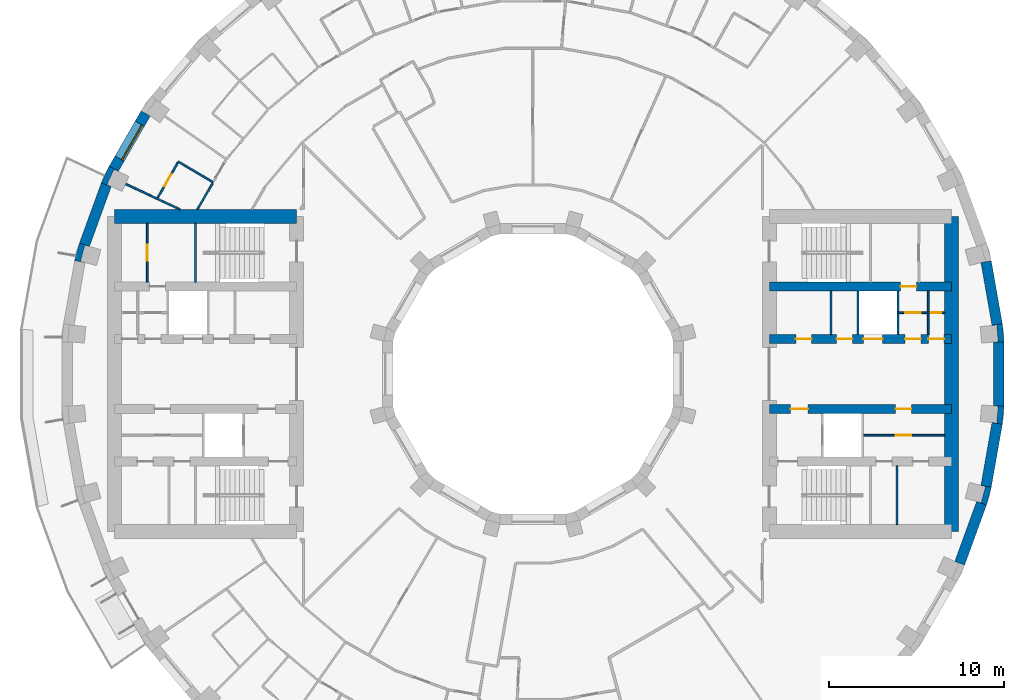
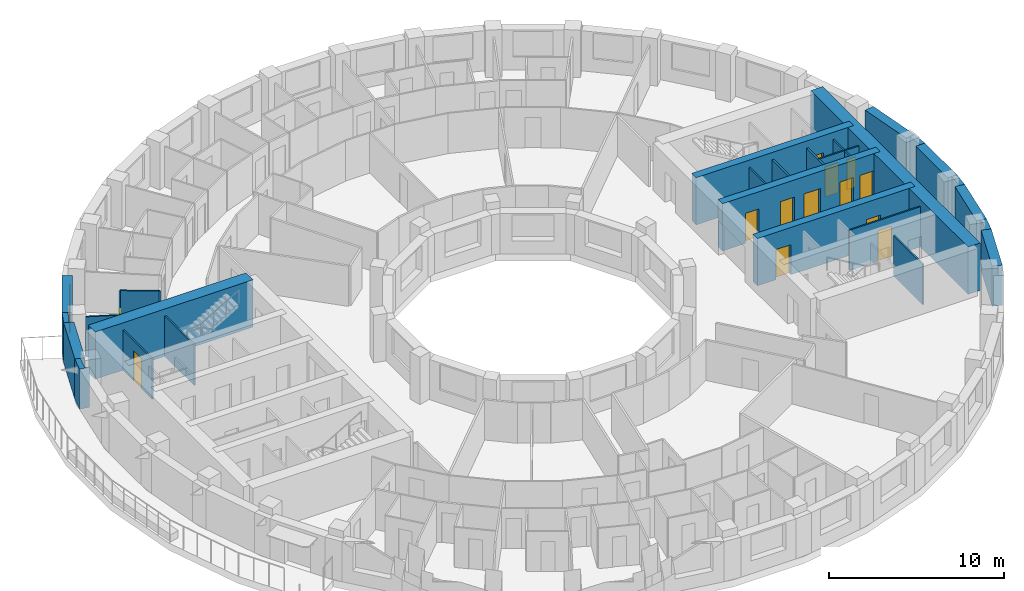
# One storey, part 7 of 12: 30 walls, 13 doors, 1 window, 14 openings.
"""IFC4 building model written with IfcOpenShell, lengths in metres."""

from ifc_helpers import new_model, si_unit, direction, frame, frame_2d, origin, place, context, subcontext, project, spatial, polyline, rectangle, outline, extrude, material, layer, layer_set, type_object, element, fill, save


model = new_model("IFC4")

# Units and contexts
model_context = context("Model", 3, precision=1e-05, world=origin(), true_north=direction((0.0, 1.0)))
body_context = subcontext(model_context, "Body", "Model", "MODEL_VIEW")
ifc_project = project(units=[si_unit("LENGTHUNIT", "METRE"), si_unit("AREAUNIT", "SQUARE_METRE"), si_unit("VOLUMEUNIT", "CUBIC_METRE"), si_unit("PLANEANGLEUNIT", "RADIAN"), si_unit("MASSUNIT", "GRAM", prefix="KILO")], contexts=[model_context])

# Site, building, storey
site_placement = place(None, origin())
site = spatial("IfcSite", under=ifc_project, at=site_placement, CompositionType="ELEMENT")
building_placement = place(site_placement, origin())
building = spatial("IfcBuilding", under=site, at=building_placement, Name="Saqina Gate Tower", CompositionType="ELEMENT")
storey_placement = place(building_placement, frame((0.0, 0.0, 111.699951171875)))
storey = spatial("IfcBuildingStorey", under=building, at=storey_placement, Name="L31", CompositionType="ELEMENT", Elevation=111.699951171875)

# Walls
ifc_material_1 = material(Name="Brick masonry (buff)", Category="masonry")
wall_type_1 = type_object("IfcWallType", Name="BRICK PIER COPING BUFF", PredefinedType="SOLIDWALL", material=ifc_material_1)
wall_1_placement = place(storey_placement, origin())
element("IfcWall", 1, at=wall_1_placement, inside=storey, type_object=wall_type_1, Name="Pier cap L31 column 1", PredefinedType="SOLIDWALL", context=body_context, shape_type="SweptSolid", body=[
    extrude(outline(polyline([(26.805419921875, 2.87451171875), (26.214599609375, 2.770263671875), (26.482421875, 2.793701171875), (26.565185546875, 1.847412109375), (26.29736328125, 1.823974609375), (26.897216796875, 1.823974609375), (26.805419921875, 2.87451171875)])), origin(), (0.0, 0.0, 1.0), 2.800048828125),
])
wall_2_placement = place(storey_placement, origin())
element("IfcWall", 2, at=wall_2_placement, inside=storey, type_object=wall_type_1, Name="Pier cap L31 column 16", PredefinedType="SOLIDWALL", context=body_context, shape_type="SweptSolid", body=[
    extrude(outline(polyline([(-24.6513671875, 10.913330078125), (-24.08740234375, 10.7080078125), (-24.331298828125, 10.82177734375), (-23.9296875, 11.6826171875), (-23.68603515625, 11.569091796875), (-24.205810546875, 11.869140625), (-24.6513671875, 10.913330078125)])), origin(), (0.0, 0.0, 1.0), 2.800048828125),
])
wall_3_placement = place(storey_placement, origin())
element("IfcWall", 3, at=wall_3_placement, inside=storey, type_object=wall_type_1, Name="Pier cap L31 column 17", PredefinedType="SOLIDWALL", context=body_context, shape_type="SweptSolid", body=[
    extrude(outline(polyline([(-25.89892578125, 7.485595703125), (-26.171875, 6.466796875), (-25.5810546875, 6.36279296875), (-25.8408203125, 6.43212890625), (-25.5947265625, 7.349853515625), (-25.335205078125, 7.2802734375), (-25.89892578125, 7.485595703125)])), origin(), (0.0, 0.0, 1.0), 2.800048828125),
])
wall_4_placement = place(storey_placement, origin())
element("IfcWall", 4, at=wall_4_placement, inside=storey, type_object=wall_type_1, Name="Pier cap L31 column 35", PredefinedType="SOLIDWALL", context=body_context, shape_type="SweptSolid", body=[
    extrude(outline(polyline([(25.89892578125, -7.485595703125), (26.171875, -6.466796875), (25.5810546875, -6.36279296875), (25.8408203125, -6.43212890625), (25.5947265625, -7.349853515625), (25.335205078125, -7.2802734375), (25.89892578125, -7.485595703125)])), origin(), (0.0, 0.0, 1.0), 2.800048828125),
])
wall_5_placement = place(storey_placement, origin())
element("IfcWall", 5, at=wall_5_placement, inside=storey, type_object=wall_type_1, Name="Pier cap L31 column 36", PredefinedType="SOLIDWALL", context=body_context, shape_type="SweptSolid", body=[
    extrude(outline(polyline([(26.805419921875, -2.87451171875), (26.897216796875, -1.823974609375), (26.29736328125, -1.823974609375), (26.565185546875, -1.847412109375), (26.482421875, -2.793701171875), (26.214599609375, -2.770263671875), (26.805419921875, -2.87451171875)])), origin(), (0.0, 0.0, 1.0), 2.800048828125),
])
ifc_material_2 = material(Name="Gypsum board on steel studs", Category="steel")
ifc_layer_1 = layer(ifc_material_2, 0.10009765625)
ifc_layer_set_1 = layer_set([ifc_layer_1], Name="CORE PARTITION")
wall_type_2 = type_object("IfcWallType", Name="CORE PARTITION", PredefinedType="PARTITIONING", material=ifc_layer_set_1)
for number, where, z_axis, x_axis, name in (
    (6, (17.022216796875, 2.25, 0.0), (0.0, 0.0, 1.0), (0.0, 1.0, 0.0), "L31-CP-E01"),
    (7, (22.569091796875, 2.25, 0.0), (0.0, 0.0, 1.0), (0.0, 1.0, 0.0), "L31-CP-E04"),
):
    element("IfcWall", number, at=place(storey_placement, frame(where, z_axis=z_axis, x_axis=x_axis)), inside=storey, type_object=wall_type_2, Name=name, PredefinedType="PARTITIONING", context=body_context, shape_type="SweptSolid", body=[
        extrude(rectangle(XDim=2.5, YDim=0.10009765625, at=frame_2d((1.25, 0.0))), origin(), (0.0, 0.0, 1.0), 2.800048828125),
    ])

# Wall, opening, door
wall_6_placement = place(storey_placement, frame((20.840087890625, 3.5, 0.0), z_axis=(0.0, 0.0, 1.0), x_axis=(1.0, 0.0, 0.0)))
wall_6 = element("IfcWall", 8, at=wall_6_placement, inside=storey, type_object=wall_type_2, Name="L31-CP-E07", PredefinedType="PARTITIONING", context=body_context, shape_type="SweptSolid", body=[
    extrude(rectangle(XDim=1.72900390625, YDim=0.10009765625, at=frame_2d((0.864501953125, 0.0))), origin(), (0.0, 0.0, 1.0), 2.800048828125),
])
opening_1_placement = place(wall_6_placement, frame((0.41455078125, 0.0, 0.0)))
opening_1 = element("IfcOpeningElement", 9, at=opening_1_placement, cuts=wall_6, Name="Opening G09-D97", PredefinedType="OPENING", context=body_context, shape_type="SweptSolid", body=[
    extrude(rectangle(XDim=0.89990234375, YDim=2.10009765625, at=frame_2d((0.449951171875, 1.050048828125))), frame((0.0, 0.06201171875, 0.0), z_axis=(0.0, -1.0, 0.0), x_axis=(1.0, 0.0, 0.0)), (0.0, 0.0, 1.0), 0.1240234375),
])
ifc_material_3 = material(Name="Steel-framed fire door leaf, EI 60", Category="steel")
door_type_1 = type_object("IfcDoorType", Name="SERVICE ROOM DOOR 900", OperationType="SINGLE_SWING_LEFT", PredefinedType="DOOR", material=ifc_material_3)
door_1_placement = place(opening_1_placement, origin())
door_1 = element("IfcDoor", 10, at=door_1_placement, inside=storey, type_object=door_type_1, Name="L31-CD-E08", OperationType="SINGLE_SWING_LEFT", OverallHeight=2.10009765625, OverallWidth=0.89990234375, PredefinedType="DOOR", context=body_context, shape_type="SweptSolid", body=[
    extrude(rectangle(XDim=0.89990234375, YDim=2.10009765625, at=frame_2d((0.449951171875, 1.050048828125))), frame((0.0, 0.02490234375, 0.0), z_axis=(0.0, -1.0, 0.0), x_axis=(1.0, 0.0, 0.0)), (0.0, 0.0, 1.0), 0.050048828125),
])
fill(opening_1, door_1)

wall_7_placement = place(storey_placement, frame((22.569091796875, 3.5, 0.0), z_axis=(0.0, 0.0, 1.0), x_axis=(1.0, 0.0, 0.0)))
wall_7 = element("IfcWall", 11, at=wall_7_placement, inside=storey, type_object=wall_type_2, Name="L31-CP-E08", PredefinedType="PARTITIONING", context=body_context, shape_type="SweptSolid", body=[
    extrude(rectangle(XDim=0.930908203125, YDim=0.10009765625, at=frame_2d((0.46533203125, 0.0))), origin(), (0.0, 0.0, 1.0), 2.800048828125),
])
opening_2_placement = place(wall_7_placement, frame((0.14990234375, 0.0, 0.0)))
opening_2 = element("IfcOpeningElement", 12, at=opening_2_placement, cuts=wall_7, Name="Opening G09-D96", PredefinedType="OPENING", context=body_context, shape_type="SweptSolid", body=[
    extrude(rectangle(XDim=0.60009765625, YDim=2.10009765625, at=frame_2d((0.300048828125, 1.050048828125))), frame((0.0, 0.06201171875, 0.0), z_axis=(0.0, -1.0, 0.0), x_axis=(1.0, 0.0, 0.0)), (0.0, 0.0, 1.0), 0.1240234375),
])
ifc_material_4 = material(Name="Steel-framed fire door leaf, EI 60", Category="steel")
door_type_2 = type_object("IfcDoorType", Name="SERVICE ROOM DOOR 600", OperationType="SINGLE_SWING_LEFT", PredefinedType="DOOR", material=ifc_material_4)
door_2_placement = place(opening_2_placement, origin())
door_2 = element("IfcDoor", 13, at=door_2_placement, inside=storey, type_object=door_type_2, Name="L31-CD-E07", OperationType="SINGLE_SWING_RIGHT", OverallHeight=2.10009765625, OverallWidth=0.60009765625, PredefinedType="DOOR", context=body_context, shape_type="SweptSolid", body=[
    extrude(rectangle(XDim=0.60009765625, YDim=2.10009765625, at=frame_2d((0.300048828125, 1.050048828125))), frame((0.0, 0.02490234375, 0.0), z_axis=(0.0, -1.0, 0.0), x_axis=(1.0, 0.0, 0.0)), (0.0, 0.0, 1.0), 0.050048828125),
])
fill(opening_2, door_2)

wall_8_placement = place(storey_placement, frame((18.81005859375, -3.5, 0.0), z_axis=(0.0, 0.0, 1.0), x_axis=(1.0, 0.0, 0.0)))
wall_8 = element("IfcWall", 14, at=wall_8_placement, inside=storey, type_object=wall_type_2, Name="L31-CP-E09", PredefinedType="PARTITIONING", context=body_context, shape_type="SweptSolid", body=[
    extrude(rectangle(XDim=4.68994140625, YDim=0.10009765625, at=frame_2d((2.344970703125, 0.0))), origin(), (0.0, 0.0, 1.0), 2.800048828125),
])
opening_3_placement = place(wall_8_placement, frame((1.89501953125, 0.0, 0.0)))
opening_3 = element("IfcOpeningElement", 15, at=opening_3_placement, cuts=wall_8, Name="Opening G09-D100", PredefinedType="OPENING", context=body_context, shape_type="SweptSolid", body=[
    extrude(rectangle(XDim=0.89990234375, YDim=2.10009765625, at=frame_2d((0.449951171875, 1.050048828125))), frame((0.0, 0.06201171875, 0.0), z_axis=(0.0, -1.0, 0.0), x_axis=(1.0, 0.0, 0.0)), (0.0, 0.0, 1.0), 0.1240234375),
])
door_3_placement = place(opening_3_placement, frame((0.89990234375, 0.0, 0.0), z_axis=(0.0, 0.0, 1.0), x_axis=(-1.0, 0.0, 0.0)))
door_3 = element("IfcDoor", 16, at=door_3_placement, inside=storey, type_object=door_type_1, Name="L31-CD-E11", OperationType="SINGLE_SWING_RIGHT", OverallHeight=2.10009765625, OverallWidth=0.89990234375, PredefinedType="DOOR", context=body_context, shape_type="SweptSolid", body=[
    extrude(rectangle(XDim=0.89990234375, YDim=2.10009765625, at=frame_2d((0.449951171875, 1.050048828125))), frame((0.0, 0.02490234375, 0.0), z_axis=(0.0, -1.0, 0.0), x_axis=(1.0, 0.0, 0.0)), (0.0, 0.0, 1.0), 0.050048828125),
])
fill(opening_3, door_3)

# Wall
wall_9_placement = place(storey_placement, frame((20.782958984375, -8.60009765625, 0.0), z_axis=(0.0, 0.0, 1.0), x_axis=(0.0, 1.0, 0.0)))
element("IfcWall", 17, at=wall_9_placement, inside=storey, type_object=wall_type_2, Name="L31-CP-E13", PredefinedType="PARTITIONING", context=body_context, shape_type="SweptSolid", body=[
    extrude(rectangle(XDim=3.35009765625, YDim=0.10009765625, at=frame_2d((1.675048828125, 0.0))), origin(), (0.0, 0.0, 1.0), 2.800048828125),
])

# Wall, opening, door
wall_10_placement = place(storey_placement, frame((-22.037109375, 5.25, 0.0), z_axis=(0.0, 0.0, 1.0), x_axis=(0.0, 1.0, 0.0)))
wall_10 = element("IfcWall", 18, at=wall_10_placement, inside=storey, type_object=wall_type_2, Name="L31-CP-W11", PredefinedType="PARTITIONING", context=body_context, shape_type="SweptSolid", body=[
    extrude(rectangle(XDim=3.35009765625, YDim=0.10009765625, at=frame_2d((1.675048828125, 0.0))), origin(), (0.0, 0.0, 1.0), 2.800048828125),
])
opening_4_placement = place(wall_10_placement, frame((1.22509765625, 0.0, 0.0)))
opening_4 = element("IfcOpeningElement", 19, at=opening_4_placement, cuts=wall_10, Name="Opening G09-D115", PredefinedType="OPENING", context=body_context, shape_type="SweptSolid", body=[
    extrude(rectangle(XDim=0.89990234375, YDim=2.10009765625, at=frame_2d((0.449951171875, 1.050048828125))), frame((0.0, 0.06201171875, 0.0), z_axis=(0.0, -1.0, 0.0), x_axis=(1.0, 0.0, 0.0)), (0.0, 0.0, 1.0), 0.1240234375),
])
door_4_placement = place(opening_4_placement, frame((0.89990234375, 0.0, 0.0), z_axis=(0.0, 0.0, 1.0), x_axis=(-1.0, 0.0, 0.0)))
door_4 = element("IfcDoor", 20, at=door_4_placement, inside=storey, type_object=door_type_1, Name="L31-CD-W26", OperationType="SINGLE_SWING_LEFT", OverallHeight=2.10009765625, OverallWidth=0.89990234375, PredefinedType="DOOR", context=body_context, shape_type="SweptSolid", body=[
    extrude(rectangle(XDim=0.89990234375, YDim=2.10009765625, at=frame_2d((0.449951171875, 1.050048828125))), frame((0.0, 0.02490234375, 0.0), z_axis=(0.0, -1.0, 0.0), x_axis=(1.0, 0.0, 0.0)), (0.0, 0.0, 1.0), 0.050048828125),
])
fill(opening_4, door_4)

# Wall, opening, window
ifc_material_5 = material(Name="Brick masonry (buff)", Category="masonry")
ifc_layer_2 = layer(ifc_material_5, 0.60009765625)
ifc_layer_set_2 = layer_set([ifc_layer_2], Name="FW-BRICK-BUFF")
wall_type_3 = type_object("IfcWallType", Name="FW-BRICK-BUFF", PredefinedType="SOLIDWALL", material=ifc_layer_set_2)
wall_11_placement = place(storey_placement, frame((-22.1220703125, 14.878173828125, 0.0), z_axis=(0.0, 0.0, 1.0), x_axis=(-0.499954196102, -0.866051847062, 0.0)))
wall_11 = element("IfcWall", 21, at=wall_11_placement, inside=storey, type_object=wall_type_3, Name="Facade wall L31 facet 15", PredefinedType="SOLIDWALL", context=body_context, shape_type="SweptSolid", body=[
    extrude(rectangle(XDim=3.647705078125, YDim=0.60009765625, at=frame_2d((1.82373046875, 0.0))), origin(), (0.0, 0.0, 1.0), 2.800048828125),
])
opening_5_placement = place(wall_11_placement, frame((0.673828125, 0.0, 0.89990234375)))
opening_5 = element("IfcOpeningElement", 22, at=opening_5_placement, cuts=wall_11, Name="Opening G09-W13", PredefinedType="OPENING", context=body_context, shape_type="SweptSolid", body=[
    extrude(rectangle(XDim=2.300048828125, YDim=1.800048828125, at=frame_2d((1.14990234375, 0.89990234375))), frame((0.0, 0.31201171875, 0.0), z_axis=(0.0, -1.0, 0.0), x_axis=(1.0, 0.0, 0.0)), (0.0, 0.0, 1.0), 0.6240234375),
])
ifc_material_6 = material(Name="Aluminium glazing", Category="aluminium")
window_type = type_object("IfcWindowType", Name="WN-B", PartitioningType="SINGLE_PANEL", PredefinedType="WINDOW", material=ifc_material_6)
window_placement = place(opening_5_placement, origin())
window = element("IfcWindow", 23, at=window_placement, inside=storey, type_object=window_type, Name="Window L31 facet 15", OverallHeight=1.800048828125, OverallWidth=2.300048828125, PartitioningType="SINGLE_PANEL", PredefinedType="WINDOW", context=body_context, shape_type="SweptSolid", body=[
    extrude(rectangle(XDim=2.300048828125, YDim=1.800048828125, at=frame_2d((1.14990234375, 0.89990234375))), frame((0.0, 0.179931640625, 0.0), z_axis=(0.0, -1.0, 0.0), x_axis=(1.0, 0.0, 0.0)), (0.0, 0.0, 1.0), 0.06005859375),
])
fill(opening_5, window)

# Walls
ifc_material_7 = material(Name="Glazed ceramic tile", Category="ceramic")
ifc_layer_3 = layer(ifc_material_7, 0.60009765625)
ifc_layer_set_3 = layer_set([ifc_layer_3], Name="FW-TILE")
wall_type_4 = type_object("IfcWallType", Name="FW-TILE", PredefinedType="SOLIDWALL", material=ifc_layer_set_3)
for number, where, z_axis, x_axis, name in (
    (24, (-24.369384765625, 10.810791015625, 0.0), (0.0, 0.0, 1.0), (-0.341990236633, -0.939703505393, 0.0), "Facade wall L31 facet 16"),
    (25, (24.369384765625, -10.810791015625, 0.0), (0.0, 0.0, 1.0), (0.341990236633, 0.939703505393, 0.0), "Facade wall L31 facet 34"),
    (26, (26.59716796875, -1.823974609375, 0.0), (0.0, 0.0, 1.0), (0.0, 1.0, 0.0), "Facade wall L31 facet 36"),
):
    element("IfcWall", number, at=place(storey_placement, frame(where, z_axis=z_axis, x_axis=x_axis)), inside=storey, type_object=wall_type_4, Name=name, PredefinedType="SOLIDWALL", context=body_context, shape_type="SweptSolid", body=[
        extrude(rectangle(XDim=3.64794921875, YDim=0.60009765625, at=frame_2d((1.823974609375, 0.0))), origin(), (0.0, 0.0, 1.0), 2.800048828125),
    ])
ifc_material_8 = material(Name="Glazed ceramic tile (dark blue)", Category="ceramic")
ifc_layer_4 = layer(ifc_material_8, 0.60009765625)
ifc_layer_set_4 = layer_set([ifc_layer_4], Name="FW-TILE-CB")
wall_type_5 = type_object("IfcWallType", Name="FW-TILE-CB", PredefinedType="SOLIDWALL", material=ifc_layer_set_4)
wall_12_placement = place(storey_placement, frame((25.87646484375, -6.414794921875, 0.0), z_axis=(0.0, 0.0, 1.0), x_axis=(0.173670796382, 0.984803764455, 0.0)))
element("IfcWall", 27, at=wall_12_placement, inside=storey, type_object=wall_type_5, Name="Facade wall L31 facet 35", PredefinedType="SOLIDWALL", context=body_context, shape_type="SweptSolid", body=[
    extrude(rectangle(XDim=3.64794921875, YDim=0.60009765625, at=frame_2d((1.823974609375, 0.0))), origin(), (0.0, 0.0, 1.0), 2.800048828125),
])
ifc_material_9 = material(Name="Glazed ceramic tile (white)", Category="ceramic")
ifc_layer_5 = layer(ifc_material_9, 0.60009765625)
ifc_layer_set_5 = layer_set([ifc_layer_5], Name="FW-TILE-WH")
wall_type_6 = type_object("IfcWallType", Name="FW-TILE-WH", PredefinedType="SOLIDWALL", material=ifc_layer_set_5)
wall_13_placement = place(storey_placement, frame((26.510009765625, 2.822265625, 0.0), z_axis=(0.0, 0.0, 1.0), x_axis=(-0.173670796382, 0.984803764455, 0.0)))
element("IfcWall", 28, at=wall_13_placement, inside=storey, type_object=wall_type_6, Name="Facade wall L31 facet 1", PredefinedType="SOLIDWALL", context=body_context, shape_type="SweptSolid", body=[
    extrude(rectangle(XDim=3.64794921875, YDim=0.60009765625, at=frame_2d((1.823974609375, 0.0))), origin(), (0.0, 0.0, 1.0), 2.800048828125),
])
ifc_material_10 = material(Name="Gypsum board on steel studs, 100 mm", Category="steel")
ifc_layer_6 = layer(ifc_material_10, 0.10009765625)
ifc_layer_set_6 = layer_set([ifc_layer_6], Name="PARTITION 100")
wall_type_7 = type_object("IfcWallType", Name="PARTITION 100", PredefinedType="PARTITIONING", material=ifc_layer_set_6)
wall_14_placement = place(storey_placement, frame((-20.2470703125, 12.1259765625, 0.0), z_axis=(0.0, 0.0, 1.0), x_axis=(0.857988737522, -0.513668498435, 0.0)))
element("IfcWall", 29, at=wall_14_placement, inside=storey, type_object=wall_type_7, Name="PARTITION PW3-30", PredefinedType="PARTITIONING", context=body_context, shape_type="SweptSolid", body=[
    extrude(rectangle(XDim=2.30078125, YDim=0.10009765625, at=frame_2d((1.150390625, 0.0))), origin(), (0.0, 0.0, 1.0), 2.800048828125),
])
wall_15_placement = place(storey_placement, frame((-23.26025390625, 10.846923828125, 0.0), z_axis=(0.0, 0.0, 1.0), x_axis=(0.906263293643, -0.422713665021, 0.0)))
element("IfcWall", 30, at=wall_15_placement, inside=storey, type_object=wall_type_7, Name="PARTITION PW3-37", PredefinedType="PARTITIONING", context=body_context, shape_type="SweptSolid", body=[
    extrude(rectangle(XDim=3.423095703125, YDim=0.10009765625, at=frame_2d((1.71142578125, 0.0))), origin(), (0.0, 0.0, 1.0), 2.800048828125),
])
wall_16_placement = place(storey_placement, frame((-19.1650390625, 9.39990234375, 0.0), z_axis=(0.0, 0.0, 1.0), x_axis=(0.500214230422, 0.865901682458, 0.0)))
element("IfcWall", 31, at=wall_16_placement, inside=storey, type_object=wall_type_7, Name="PARTITION PW3-89", PredefinedType="PARTITIONING", context=body_context, shape_type="SweptSolid", body=[
    extrude(rectangle(XDim=1.733154296875, YDim=0.10009765625, at=frame_2d((0.86669921875, 0.0))), origin(), (0.0, 0.0, 1.0), 2.800048828125),
])

# Wall, opening, door
wall_17_placement = place(storey_placement, frame((-21.443115234375, 10.05419921875, 0.0), z_axis=(0.0, 0.0, 1.0), x_axis=(0.499984100898, 0.86603458294, 0.0)))
wall_17 = element("IfcWall", 32, at=wall_17_placement, inside=storey, type_object=wall_type_7, Name="PARTITION PW3-90", PredefinedType="PARTITIONING", context=body_context, shape_type="SweptSolid", body=[
    extrude(rectangle(XDim=2.34228515625, YDim=0.10009765625, at=frame_2d((1.171142578125, 0.0))), origin(), (0.0, 0.0, 1.0), 2.800048828125),
])
opening_6_placement = place(wall_17_placement, frame((0.77099609375, 0.0, 0.0)))
opening_6 = element("IfcOpeningElement", 33, at=opening_6_placement, cuts=wall_17, Name="Opening G09-D28", PredefinedType="OPENING", context=body_context, shape_type="SweptSolid", body=[
    extrude(rectangle(XDim=0.800048828125, YDim=2.10009765625, at=frame_2d((0.39990234375, 1.050048828125))), frame((0.0, 0.06201171875, 0.0), z_axis=(0.0, -1.0, 0.0), x_axis=(1.0, 0.0, 0.0)), (0.0, 0.0, 1.0), 0.1240234375),
])
ifc_material_11 = material(Name="Timber door leaf, 800 mm", Category="wood")
door_type_3 = type_object("IfcDoorType", Name="DOOR 800 TIMBER", OperationType="SINGLE_SWING_LEFT", PredefinedType="DOOR", material=ifc_material_11)
door_5_placement = place(opening_6_placement, origin())
door_5 = element("IfcDoor", 34, at=door_5_placement, inside=storey, type_object=door_type_3, Name="DOOR G09-D28", OperationType="SINGLE_SWING_RIGHT", OverallHeight=2.10009765625, OverallWidth=0.800048828125, PredefinedType="DOOR", context=body_context, shape_type="SweptSolid", body=[
    extrude(rectangle(XDim=0.800048828125, YDim=2.10009765625, at=frame_2d((0.39990234375, 1.050048828125))), frame((0.0, 0.02490234375, 0.0), z_axis=(0.0, -1.0, 0.0), x_axis=(1.0, 0.0, 0.0)), (0.0, 0.0, 1.0), 0.050048828125),
])
fill(opening_6, door_5)

# Walls
ifc_material_12 = material(Name="Autoclaved aerated concrete block", Category="concrete")
ifc_layer_7 = layer(ifc_material_12, 0.1201171875)
ifc_layer_set_7 = layer_set([ifc_layer_7], Name="SHAFT PARTITION")
wall_type_8 = type_object("IfcWallType", Name="SHAFT PARTITION", PredefinedType="PARTITIONING", material=ifc_layer_set_7)
for number, where, z_axis, x_axis, name in (
    (35, (18.56005859375, 2.25, 0.0), (0.0, 0.0, 1.0), (0.0, 1.0, 0.0), "L31-CP-E02"),
    (36, (20.840087890625, 2.25, 0.0), (0.0, 0.0, 1.0), (0.0, 1.0, 0.0), "L31-CP-E03"),
):
    element("IfcWall", number, at=place(storey_placement, frame(where, z_axis=z_axis, x_axis=x_axis)), inside=storey, type_object=wall_type_8, Name=name, PredefinedType="PARTITIONING", context=body_context, shape_type="SweptSolid", body=[
        extrude(rectangle(XDim=2.5, YDim=0.1201171875, at=frame_2d((1.25, 0.0))), origin(), (0.0, 0.0, 1.0), 2.800048828125),
    ])
ifc_material_13 = material(Name="Autoclaved aerated concrete block", Category="concrete")
ifc_layer_8 = layer(ifc_material_13, 0.10009765625)
ifc_layer_set_8 = layer_set([ifc_layer_8], Name="STAIR ENCLOSURE WALL")
wall_type_9 = type_object("IfcWallType", Name="STAIR ENCLOSURE WALL", PredefinedType="PARTITIONING", material=ifc_layer_set_8)
wall_18_placement = place(storey_placement, frame((-19.27001953125, 5.25, 0.0), z_axis=(0.0, 0.0, 1.0), x_axis=(0.0, 1.0, 0.0)))
element("IfcWall", 37, at=wall_18_placement, inside=storey, type_object=wall_type_9, Name="L31-CP-W10", PredefinedType="PARTITIONING", context=body_context, shape_type="SweptSolid", body=[
    extrude(rectangle(XDim=3.35009765625, YDim=0.10009765625, at=frame_2d((1.675048828125, 0.0))), origin(), (0.0, 0.0, 1.0), 2.800048828125),
])

# Wall, opening, door
ifc_material_14 = material(Name="Concrete C70/85", Category="concrete")
ifc_layer_9 = layer(ifc_material_14, 0.5)
ifc_layer_set_9 = layer_set([ifc_layer_9], Name="Concrete C70/85")
wall_type_10 = type_object("IfcWallType", Name="STR-CORE WALL-B-I", PredefinedType="SHEAR", material=ifc_layer_set_9)
wall_19_placement = place(storey_placement, frame((13.5, 5.0, 0.0), z_axis=(0.0, 0.0, 1.0), x_axis=(1.0, 0.0, 0.0)))
wall_19 = element("IfcWall", 38, at=wall_19_placement, inside=storey, type_object=wall_type_10, Name="CORE WALL L31 E-X1", PredefinedType="SHEAR", context=body_context, shape_type="SweptSolid", body=[
    extrude(rectangle(XDim=10.39990234375, YDim=0.5, at=frame_2d((5.199951171875, 0.0))), origin(), (0.0, 0.0, 1.0), 3.300048828125),
])
opening_7_placement = place(wall_19_placement, frame((7.488525390625, 0.0, 0.0)))
opening_7 = element("IfcOpeningElement", 39, at=opening_7_placement, cuts=wall_19, Name="Opening G09-D99", PredefinedType="OPENING", context=body_context, shape_type="SweptSolid", body=[
    extrude(rectangle(XDim=0.89990234375, YDim=2.10009765625, at=frame_2d((0.449951171875, 1.050048828125))), frame((0.0, 0.261962890625, 0.0), z_axis=(0.0, -1.0, 0.0), x_axis=(1.0, 0.0, 0.0)), (0.0, 0.0, 1.0), 0.52392578125),
])
door_6_placement = place(opening_7_placement, origin())
door_6 = element("IfcDoor", 40, at=door_6_placement, inside=storey, type_object=door_type_1, Name="L31-CD-E10", OperationType="SINGLE_SWING_RIGHT", OverallHeight=2.10009765625, OverallWidth=0.89990234375, PredefinedType="DOOR", context=body_context, shape_type="SweptSolid", body=[
    extrude(rectangle(XDim=0.89990234375, YDim=2.10009765625, at=frame_2d((0.449951171875, 1.050048828125))), frame((0.0, 0.02490234375, 0.0), z_axis=(0.0, -1.0, 0.0), x_axis=(1.0, 0.0, 0.0)), (0.0, 0.0, 1.0), 0.050048828125),
])
fill(opening_7, door_6)

# Wall, openings, doors
wall_20_placement = place(storey_placement, frame((13.5, 2.0, 0.0), z_axis=(0.0, 0.0, 1.0), x_axis=(1.0, 0.0, 0.0)))
wall_20 = element("IfcWall", 41, at=wall_20_placement, inside=storey, type_object=wall_type_10, Name="CORE WALL L31 E-L1", PredefinedType="SHEAR", context=body_context, shape_type="SweptSolid", body=[
    extrude(rectangle(XDim=10.39990234375, YDim=0.5, at=frame_2d((5.199951171875, 0.0))), origin(), (0.0, 0.0, 1.0), 3.300048828125),
])
opening_8_placement = place(wall_20_placement, frame((5.3701171875, 0.0, 0.0)))
opening_8 = element("IfcOpeningElement", 42, at=opening_8_placement, cuts=wall_20, Name="Opening G09-LD1", PredefinedType="OPENING", context=body_context, shape_type="SweptSolid", body=[
    extrude(rectangle(XDim=1.10009765625, YDim=2.10009765625, at=frame_2d((0.550048828125, 1.050048828125))), frame((0.0, 0.261962890625, 0.0), z_axis=(0.0, -1.0, 0.0), x_axis=(1.0, 0.0, 0.0)), (0.0, 0.0, 1.0), 0.52392578125),
])
opening_9_placement = place(wall_20_placement, frame((1.510986328125, 0.0, 0.0)))
opening_9 = element("IfcOpeningElement", 43, at=opening_9_placement, cuts=wall_20, Name="Opening G09-D90", PredefinedType="OPENING", context=body_context, shape_type="SweptSolid", body=[
    extrude(rectangle(XDim=0.89990234375, YDim=2.10009765625, at=frame_2d((0.449951171875, 1.050048828125))), frame((0.0, 0.261962890625, 0.0), z_axis=(0.0, -1.0, 0.0), x_axis=(1.0, 0.0, 0.0)), (0.0, 0.0, 1.0), 0.52392578125),
])
opening_10_placement = place(wall_20_placement, frame((3.841064453125, 0.0, 0.0)))
opening_10 = element("IfcOpeningElement", 44, at=opening_10_placement, cuts=wall_20, Name="Opening G09-D91", PredefinedType="OPENING", context=body_context, shape_type="SweptSolid", body=[
    extrude(rectangle(XDim=0.89990234375, YDim=2.10009765625, at=frame_2d((0.449951171875, 1.050048828125))), frame((0.0, 0.261962890625, 0.0), z_axis=(0.0, -1.0, 0.0), x_axis=(1.0, 0.0, 0.0)), (0.0, 0.0, 1.0), 0.52392578125),
])
opening_11_placement = place(wall_20_placement, frame((7.75439453125, 0.0, 0.0)))
opening_11 = element("IfcOpeningElement", 45, at=opening_11_placement, cuts=wall_20, Name="Opening G09-D92", PredefinedType="OPENING", context=body_context, shape_type="SweptSolid", body=[
    extrude(rectangle(XDim=0.89990234375, YDim=2.10009765625, at=frame_2d((0.449951171875, 1.050048828125))), frame((0.0, 0.261962890625, 0.0), z_axis=(0.0, -1.0, 0.0), x_axis=(1.0, 0.0, 0.0)), (0.0, 0.0, 1.0), 0.52392578125),
])
opening_12_placement = place(wall_20_placement, frame((9.08447265625, 0.0, 0.0)))
opening_12 = element("IfcOpeningElement", 46, at=opening_12_placement, cuts=wall_20, Name="Opening G09-D93", PredefinedType="OPENING", context=body_context, shape_type="SweptSolid", body=[
    extrude(rectangle(XDim=0.89990234375, YDim=2.10009765625, at=frame_2d((0.449951171875, 1.050048828125))), frame((0.0, 0.261962890625, 0.0), z_axis=(0.0, -1.0, 0.0), x_axis=(1.0, 0.0, 0.0)), (0.0, 0.0, 1.0), 0.52392578125),
])
ifc_material_15 = material(Name="Stainless steel", Category="steel")
door_type_4 = type_object("IfcDoorType", Name="LANDING DOOR", OperationType="DOUBLE_DOOR_SLIDING", PredefinedType="DOOR", material=ifc_material_15)
door_7_placement = place(opening_8_placement, origin())
door_7 = element("IfcDoor", 47, at=door_7_placement, inside=storey, type_object=door_type_4, Name="LANDING DOOR MR1", OperationType="DOUBLE_DOOR_SLIDING", OverallHeight=2.10009765625, OverallWidth=1.10009765625, PredefinedType="DOOR", context=body_context, shape_type="SweptSolid", body=[
    extrude(rectangle(XDim=1.10009765625, YDim=2.10009765625, at=frame_2d((0.550048828125, 1.050048828125))), frame((0.0, 0.02490234375, 0.0), z_axis=(0.0, -1.0, 0.0), x_axis=(1.0, 0.0, 0.0)), (0.0, 0.0, 1.0), 0.050048828125),
])
fill(opening_8, door_7)
door_8_placement = place(opening_9_placement, origin())
door_8 = element("IfcDoor", 48, at=door_8_placement, inside=storey, type_object=door_type_1, Name="L31-CD-E01", OperationType="SINGLE_SWING_LEFT", OverallHeight=2.10009765625, OverallWidth=0.89990234375, PredefinedType="DOOR", context=body_context, shape_type="SweptSolid", body=[
    extrude(rectangle(XDim=0.89990234375, YDim=2.10009765625, at=frame_2d((0.449951171875, 1.050048828125))), frame((0.0, 0.02490234375, 0.0), z_axis=(0.0, -1.0, 0.0), x_axis=(1.0, 0.0, 0.0)), (0.0, 0.0, 1.0), 0.050048828125),
])
fill(opening_9, door_8)
door_9_placement = place(opening_10_placement, origin())
door_9 = element("IfcDoor", 49, at=door_9_placement, inside=storey, type_object=door_type_1, Name="L31-CD-E02", OperationType="SINGLE_SWING_RIGHT", OverallHeight=2.10009765625, OverallWidth=0.89990234375, PredefinedType="DOOR", context=body_context, shape_type="SweptSolid", body=[
    extrude(rectangle(XDim=0.89990234375, YDim=2.10009765625, at=frame_2d((0.449951171875, 1.050048828125))), frame((0.0, 0.02490234375, 0.0), z_axis=(0.0, -1.0, 0.0), x_axis=(1.0, 0.0, 0.0)), (0.0, 0.0, 1.0), 0.050048828125),
])
fill(opening_10, door_9)
door_10_placement = place(opening_11_placement, origin())
door_10 = element("IfcDoor", 50, at=door_10_placement, inside=storey, type_object=door_type_1, Name="L31-CD-E03", OperationType="SINGLE_SWING_LEFT", OverallHeight=2.10009765625, OverallWidth=0.89990234375, PredefinedType="DOOR", context=body_context, shape_type="SweptSolid", body=[
    extrude(rectangle(XDim=0.89990234375, YDim=2.10009765625, at=frame_2d((0.449951171875, 1.050048828125))), frame((0.0, 0.02490234375, 0.0), z_axis=(0.0, -1.0, 0.0), x_axis=(1.0, 0.0, 0.0)), (0.0, 0.0, 1.0), 0.050048828125),
])
fill(opening_11, door_10)
door_11_placement = place(opening_12_placement, origin())
door_11 = element("IfcDoor", 51, at=door_11_placement, inside=storey, type_object=door_type_1, Name="L31-CD-E04", OperationType="SINGLE_SWING_RIGHT", OverallHeight=2.10009765625, OverallWidth=0.89990234375, PredefinedType="DOOR", context=body_context, shape_type="SweptSolid", body=[
    extrude(rectangle(XDim=0.89990234375, YDim=2.10009765625, at=frame_2d((0.449951171875, 1.050048828125))), frame((0.0, 0.02490234375, 0.0), z_axis=(0.0, -1.0, 0.0), x_axis=(1.0, 0.0, 0.0)), (0.0, 0.0, 1.0), 0.050048828125),
])
fill(opening_12, door_11)

wall_21_placement = place(storey_placement, frame((13.5, -2.0, 0.0), z_axis=(0.0, 0.0, 1.0), x_axis=(1.0, 0.0, 0.0)))
wall_21 = element("IfcWall", 52, at=wall_21_placement, inside=storey, type_object=wall_type_10, Name="CORE WALL L31 E-L2", PredefinedType="SHEAR", context=body_context, shape_type="SweptSolid", body=[
    extrude(rectangle(XDim=10.39990234375, YDim=0.5, at=frame_2d((5.199951171875, 0.0))), origin(), (0.0, 0.0, 1.0), 3.300048828125),
])
opening_13_placement = place(wall_21_placement, frame((1.215087890625, 0.0, 0.0)))
opening_13 = element("IfcOpeningElement", 53, at=opening_13_placement, cuts=wall_21, Name="Opening G09-D94", PredefinedType="OPENING", context=body_context, shape_type="SweptSolid", body=[
    extrude(rectangle(XDim=1.0, YDim=2.10009765625, at=frame_2d((0.5, 1.050048828125))), frame((0.0, 0.261962890625, 0.0), z_axis=(0.0, -1.0, 0.0), x_axis=(1.0, 0.0, 0.0)), (0.0, 0.0, 1.0), 0.52392578125),
])
opening_14_placement = place(wall_21_placement, frame((7.205078125, 0.0, 0.0)))
opening_14 = element("IfcOpeningElement", 54, at=opening_14_placement, cuts=wall_21, Name="Opening G09-D95", PredefinedType="OPENING", context=body_context, shape_type="SweptSolid", body=[
    extrude(rectangle(XDim=0.89990234375, YDim=2.10009765625, at=frame_2d((0.449951171875, 1.050048828125))), frame((0.0, 0.261962890625, 0.0), z_axis=(0.0, -1.0, 0.0), x_axis=(1.0, 0.0, 0.0)), (0.0, 0.0, 1.0), 0.52392578125),
])
ifc_material_16 = material(Name="Steel", Category="steel")
door_type_5 = type_object("IfcDoorType", Name="FIRE LOBBY DOOR EI 60", OperationType="SINGLE_SWING_LEFT", PredefinedType="DOOR", material=ifc_material_16)
door_12_placement = place(opening_13_placement, origin())
door_12 = element("IfcDoor", 55, at=door_12_placement, inside=storey, type_object=door_type_5, Name="L31-CD-E05", OperationType="SINGLE_SWING_LEFT", OverallHeight=2.10009765625, OverallWidth=1.0, PredefinedType="DOOR", context=body_context, shape_type="SweptSolid", body=[
    extrude(rectangle(XDim=1.0, YDim=2.10009765625, at=frame_2d((0.5, 1.050048828125))), frame((0.0, 0.02490234375, 0.0), z_axis=(0.0, -1.0, 0.0), x_axis=(1.0, 0.0, 0.0)), (0.0, 0.0, 1.0), 0.050048828125),
])
fill(opening_13, door_12)
door_13_placement = place(opening_14_placement, frame((0.89990234375, 0.0, 0.0), z_axis=(0.0, 0.0, 1.0), x_axis=(-1.0, 0.0, 0.0)))
door_13 = element("IfcDoor", 56, at=door_13_placement, inside=storey, type_object=door_type_1, Name="L31-CD-E06", OperationType="SINGLE_SWING_LEFT", OverallHeight=2.10009765625, OverallWidth=0.89990234375, PredefinedType="DOOR", context=body_context, shape_type="SweptSolid", body=[
    extrude(rectangle(XDim=0.89990234375, YDim=2.10009765625, at=frame_2d((0.449951171875, 1.050048828125))), frame((0.0, 0.02490234375, 0.0), z_axis=(0.0, -1.0, 0.0), x_axis=(1.0, 0.0, 0.0)), (0.0, 0.0, 1.0), 0.050048828125),
])
fill(opening_14, door_13)

# Walls
ifc_material_17 = material(Name="Concrete C70/85", Category="concrete")
ifc_layer_10 = layer(ifc_material_17, 0.800048828125)
ifc_layer_set_10 = layer_set([ifc_layer_10], Name="Concrete C70/85")
wall_type_11 = type_object("IfcWallType", Name="STR-CORE WALL-B-O", PredefinedType="SHEAR", material=ifc_layer_set_10)
wall_22_placement = place(storey_placement, frame((23.89990234375, -9.0, 0.0), z_axis=(0.0, 0.0, 1.0), x_axis=(0.0, 1.0, 0.0)))
element("IfcWall", 57, at=wall_22_placement, inside=storey, type_object=wall_type_11, Name="CORE WALL L31 E-W2", PredefinedType="SHEAR", context=body_context, shape_type="SweptSolid", body=[
    extrude(rectangle(XDim=18.0, YDim=0.800048828125, at=frame_2d((9.0, 0.0))), origin(), (0.0, 0.0, 1.0), 3.300048828125),
])
wall_23_placement = place(storey_placement, frame((-13.5, 9.0, 0.0), z_axis=(0.0, 0.0, 1.0), x_axis=(-1.0, 0.0, 0.0)))
element("IfcWall", 58, at=wall_23_placement, inside=storey, type_object=wall_type_11, Name="CORE WALL L31 W-NE", PredefinedType="SHEAR", context=body_context, shape_type="SweptSolid", body=[
    extrude(rectangle(XDim=10.39990234375, YDim=0.800048828125, at=frame_2d((5.199951171875, 0.0))), origin(), (0.0, 0.0, 1.0), 3.300048828125),
])

save(model, "model.ifc")
